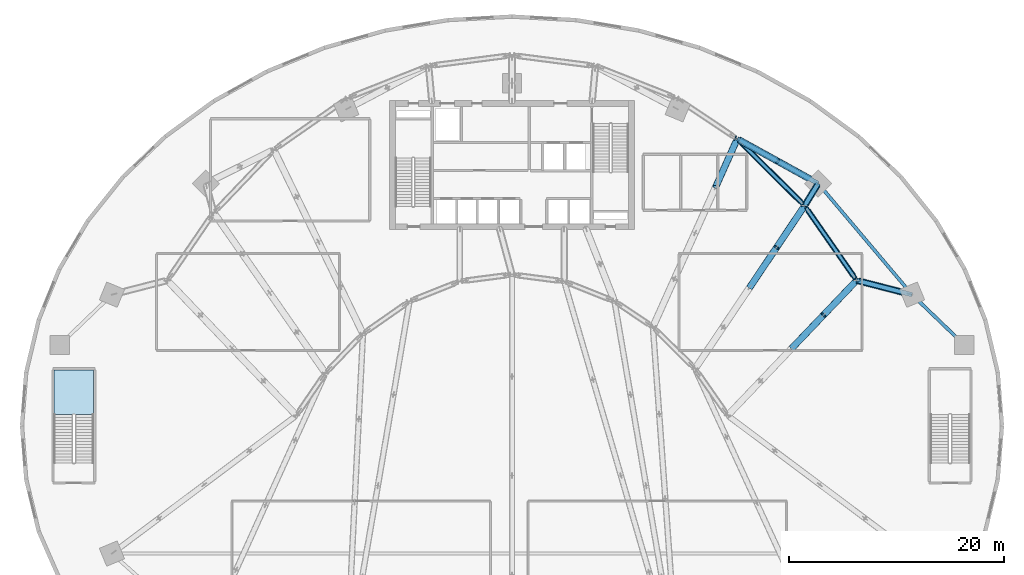
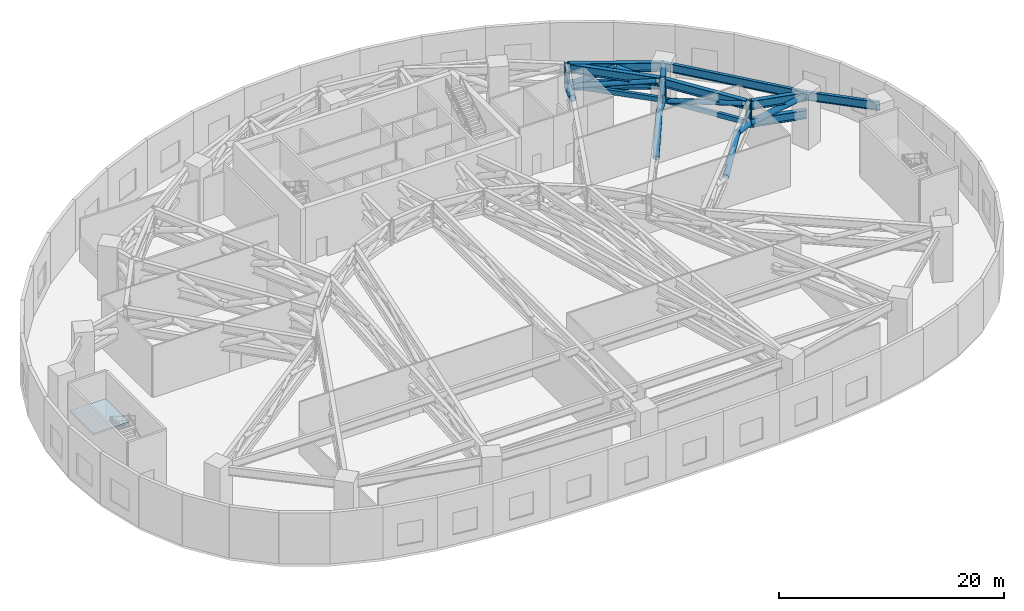
# One storey, part 6 of 19: 16 members, 10 beams, 1 slab, 1 element without a shape of its own.
"""IFC4 building model written with IfcOpenShell, lengths in metres."""

from ifc_helpers import new_model, si_unit, direction, frame, origin, origin_2d, place, context, subcontext, project, spatial, polyline, hollow_rectangle, hollow_circle, i_section, outline, extrude, source, transform, mapped, material, layer, layer_set, material_profile, profile_set, type_object, type_shapes, element, aggregate, save


model = new_model("IFC4")

# Units and contexts
model_context = context("Model", 3, precision=1e-05, world=origin(), true_north=direction((0.0, 1.0)))
body_context = subcontext(model_context, "Body", "Model", "MODEL_VIEW")
ifc_project = project(units=[si_unit("LENGTHUNIT", "METRE"), si_unit("AREAUNIT", "SQUARE_METRE"), si_unit("VOLUMEUNIT", "CUBIC_METRE"), si_unit("PLANEANGLEUNIT", "RADIAN"), si_unit("MASSUNIT", "GRAM", prefix="KILO")], contexts=[model_context])

# Site, building, storey
site_placement = place(None, origin())
site = spatial("IfcSite", under=ifc_project, at=site_placement, CompositionType="ELEMENT")
building_placement = place(site_placement, origin())
building = spatial("IfcBuilding", under=site, at=building_placement, Name="Breltana Convention Tower", CompositionType="ELEMENT")
storey_placement = place(building_placement, frame((0.0, 0.0, 24.0)))
storey = spatial("IfcBuildingStorey", under=building, at=storey_placement, Name="L04", CompositionType="ELEMENT", Elevation=24.0)

# Members
ifc_material_1 = material(Name="Steel ASTM A992 Grade 50", Category="steel")
ifc_material_profile_1 = material_profile(ifc_material_1, i_section(OverallWidth=0.4208984375, OverallDepth=0.465087890625, WebThickness=0.044921875, FlangeThickness=0.072265625, at=origin_2d()), Name="W14X398")
ifc_profile_set_1 = profile_set([ifc_material_profile_1], Name="Steel ASTM A992 Grade 50")
member_type_1 = type_object("IfcMemberType", Name="MB-TR-POST-W14X398", PredefinedType="POST", material=ifc_profile_set_1)
shared_shape_1 = source(origin(), body_context, "Body", "SweptSolid", [
    extrude(i_section(OverallWidth=0.4208984375, OverallDepth=0.465087890625, WebThickness=0.044921875, FlangeThickness=0.072265625, at=origin_2d()), origin(), (0.0, 0.0, 1.0), 2.406494140625),
])
type_shapes(member_type_1, [shared_shape_1])
for number, where, z_axis, x_axis, name in (
    (1, (68.910400390625, 68.63330078125, 3.1435546875), (0.0, 0.0, 1.0), (0.409126902895, 0.912477494148, 0.0), "L04 Transfer Truss Vertical R09-OUT"),
    (2, (75.166748046875, 62.43017578125, 3.1435546875), (0.0, 0.0, 1.0), (0.55774510898, 0.830012285095, 0.0), "L04 Transfer Truss Vertical R10-OUT"),
    (3, (79.9931640625, 55.494384765625, 3.1435546875), (0.0, 0.0, 1.0), (0.690756218984, 0.723087716626, 0.0), "L04 Transfer Truss Vertical R11-OUT"),
):
    element("IfcMember", number, at=place(storey_placement, frame(where, z_axis=z_axis, x_axis=x_axis)), inside=storey, type_object=member_type_1, Name=name, PredefinedType="POST", context=body_context, shape_type="MappedRepresentation", body=[
        mapped(shared_shape_1, transform((0.0, 0.0, 0.0), scale=1.0)),
    ])
ifc_material_2 = material(Name="Steel EN 10210 S355J2H", Category="steel")
ifc_material_profile_2 = material_profile(ifc_material_2, hollow_circle(Radius=0.304931640625, WallThickness=0.02490234375, at=origin_2d()), Name="CHS610X25")
ifc_profile_set_2 = profile_set([ifc_material_profile_2], Name="Steel EN 10210 S355J2H")
member_type_2 = type_object("IfcMemberType", Name="MB-BR-CHS610X25", PredefinedType="BRACE", material=ifc_profile_set_2)
shared_shape_2 = source(origin(), body_context, "Body", "SweptSolid", [
    extrude(hollow_circle(Radius=0.304931640625, WallThickness=0.02490234375, at=origin_2d()), origin(), (0.0, 0.0, 1.0), 4.646240234375),
])
type_shapes(member_type_2, [shared_shape_2])
member_1_placement = place(storey_placement, frame((76.9228515625, 52.27978515625, 5.075927734375), z_axis=(0.628140326004, 0.657618887397, -0.415905193268), x_axis=(-0.723128566496, 0.690713454566, 0.0)))
element("IfcMember", 4, at=member_1_placement, inside=storey, type_object=member_type_2, Name="L04 Transfer Truss Diagonal R11-2.4", PredefinedType="BRACE", context=body_context, shape_type="MappedRepresentation", body=[
    mapped(shared_shape_2, transform((0.0, 0.0, 0.0), scale=1.0)),
])
shared_shape_3 = source(origin(), body_context, "Body", "SweptSolid", [
    extrude(hollow_circle(Radius=0.304931640625, WallThickness=0.02490234375, at=origin_2d()), origin(), (0.0, 0.0, 1.0), 4.64599609375),
])
member_2_placement = place(storey_placement, frame((74.00439453125, 49.224609375, 3.1435546875), z_axis=(0.628162031991, 0.657589063772, 0.415919565267), x_axis=(-0.72310099834, 0.690742315339, 0.0)))
element("IfcMember", 5, at=member_2_placement, inside=storey, type_object=member_type_2, Name="L04 Transfer Truss Diagonal R11-2.3", PredefinedType="BRACE", context=body_context, shape_type="MappedRepresentation", body=[
    mapped(shared_shape_3, transform((0.0, 0.0, 0.0), scale=1.0)),
])

# Beams
ifc_material_profile_3 = material_profile(ifc_material_1, i_section(OverallWidth=0.423095703125, OverallDepth=0.947998046875, WebThickness=0.02392578125, FlangeThickness=0.042724609375, at=origin_2d()), Name="W36X302")
ifc_profile_set_3 = profile_set([ifc_material_profile_3], Name="Steel ASTM A992 Grade 50")
beam_type_1 = type_object("IfcBeamType", Name="BM-TR-W36X302", PredefinedType="USERDEFINED", material=ifc_profile_set_3)
shared_shape_4 = source(origin(), body_context, "Body", "SweptSolid", [
    extrude(i_section(OverallWidth=0.423095703125, OverallDepth=0.947998046875, WebThickness=0.02392578125, FlangeThickness=0.042724609375, at=origin_2d()), origin(), (0.0, 0.0, 1.0), 5.314697265625),
])
beam_1_placement = place(storey_placement, frame((79.9931640625, 55.494384765625, 5.075927734375), z_axis=(0.968413424383, -0.249350034038, 0.0), x_axis=(0.249350034038, 0.968413424383, 0.0)))
element("IfcBeam", 6, at=beam_1_placement, inside=storey, type_object=beam_type_1, Name="L04 Transfer Top Chord R11-3", ObjectType="GIRDER", PredefinedType="USERDEFINED", context=body_context, shape_type="MappedRepresentation", body=[
    mapped(shared_shape_4, transform((0.0, 0.0, 0.0), scale=1.0)),
])
ifc_material_profile_4 = material_profile(ifc_material_1, i_section(OverallWidth=0.41796875, OverallDepth=0.927001953125, WebThickness=0.019287109375, FlangeThickness=0.031982421875, at=origin_2d()), Name="W36X231")
ifc_profile_set_4 = profile_set([ifc_material_profile_4], Name="Steel ASTM A992 Grade 50")
beam_type_2 = type_object("IfcBeamType", Name="BM-TR-W36X231", PredefinedType="USERDEFINED", material=ifc_profile_set_4)
shared_shape_5 = source(origin(), body_context, "Body", "SweptSolid", [
    extrude(i_section(OverallWidth=0.41796875, OverallDepth=0.927001953125, WebThickness=0.019287109375, FlangeThickness=0.031982421875, at=origin_2d()), origin(), (0.0, 0.0, 1.0), 5.314697265625),
])
beam_2_placement = place(storey_placement, frame((79.9931640625, 55.494384765625, 3.1435546875), z_axis=(0.968413424383, -0.249350034038, 0.0), x_axis=(0.249350034038, 0.968413424383, 0.0)))
element("IfcBeam", 7, at=beam_2_placement, inside=storey, type_object=beam_type_2, Name="L04 Transfer Bottom Chord R11-3", ObjectType="GIRDER", PredefinedType="USERDEFINED", context=body_context, shape_type="MappedRepresentation", body=[
    mapped(shared_shape_5, transform((0.0, 0.0, 0.0), scale=1.0)),
])

# Members
shared_shape_6 = source(origin(), body_context, "Body", "SweptSolid", [
    extrude(hollow_circle(Radius=0.304931640625, WallThickness=0.02490234375, at=origin_2d()), origin(), (0.0, 0.0, 1.0), 5.24365234375),
])
member_3_placement = place(storey_placement, frame((80.206298828125, 55.439453125, 3.1435546875), z_axis=(0.900266022574, -0.231771010569, 0.368514975624), x_axis=(0.249317526395, 0.968421793968, 0.0)))
element("IfcMember", 8, at=member_3_placement, inside=storey, type_object=member_type_2, Name="L04 Transfer Truss Diagonal R11-3.1", PredefinedType="BRACE", context=body_context, shape_type="MappedRepresentation", body=[
    mapped(shared_shape_6, transform((0.0, 0.0, 0.0), scale=1.0)),
])
shared_shape_7 = source(origin(), body_context, "Body", "SweptSolid", [
    extrude(hollow_circle(Radius=0.304931640625, WallThickness=0.02490234375, at=origin_2d()), origin(), (0.0, 0.0, 1.0), 5.05712890625),
])
member_4_placement = place(storey_placement, frame((66.908447265625, 64.168212890625, 5.075927734375), z_axis=(0.378095712254, 0.843232610564, -0.382102599909), x_axis=(-0.912470994149, 0.409141399563, 0.0)))
element("IfcMember", 9, at=member_4_placement, inside=storey, type_object=member_type_2, Name="L04 Transfer Truss Diagonal R09-2.4", PredefinedType="BRACE", context=body_context, shape_type="MappedRepresentation", body=[
    mapped(shared_shape_7, transform((0.0, 0.0, 0.0), scale=1.0)),
])

# Beams
shared_shape_8 = source(origin(), body_context, "Body", "SweptSolid", [
    extrude(i_section(OverallWidth=0.423095703125, OverallDepth=0.947998046875, WebThickness=0.02392578125, FlangeThickness=0.042724609375, at=origin_2d()), origin(), (0.0, 0.0, 1.0), 8.583740234375),
])
beam_3_placement = place(storey_placement, frame((68.910400390625, 68.63330078125, 5.075927734375), z_axis=(0.875538271592, -0.48314877106, 0.0), x_axis=(0.48314877106, 0.875538271592, 0.0)))
element("IfcBeam", 10, at=beam_3_placement, inside=storey, type_object=beam_type_1, Name="L04 Transfer Top Chord R09-3", ObjectType="GIRDER", PredefinedType="USERDEFINED", context=body_context, shape_type="MappedRepresentation", body=[
    mapped(shared_shape_8, transform((0.0, 0.0, 0.0), scale=1.0)),
])
shared_shape_9 = source(origin(), body_context, "Body", "SweptSolid", [
    extrude(i_section(OverallWidth=0.41796875, OverallDepth=0.927001953125, WebThickness=0.019287109375, FlangeThickness=0.031982421875, at=origin_2d()), origin(), (0.0, 0.0, 1.0), 8.583740234375),
])
beam_4_placement = place(storey_placement, frame((68.910400390625, 68.63330078125, 3.1435546875), z_axis=(0.875538271592, -0.48314877106, 0.0), x_axis=(0.48314877106, 0.875538271592, 0.0)))
element("IfcBeam", 11, at=beam_4_placement, inside=storey, type_object=beam_type_2, Name="L04 Transfer Bottom Chord R09-3", ObjectType="GIRDER", PredefinedType="USERDEFINED", context=body_context, shape_type="MappedRepresentation", body=[
    mapped(shared_shape_9, transform((0.0, 0.0, 0.0), scale=1.0)),
])

# Members
shared_shape_10 = source(origin(), body_context, "Body", "SweptSolid", [
    extrude(hollow_circle(Radius=0.304931640625, WallThickness=0.02490234375, at=origin_2d()), origin(), (0.0, 0.0, 1.0), 4.507080078125),
])
for number, where, z_axis, x_axis, name in (
    (12, (69.10302734375, 68.527099609375, 3.1435546875), (0.790998391297, -0.436476411496, 0.428730553114), (0.483131231991, 0.875547949958, 0.0), "L04 Transfer Truss Diagonal R09-3.1"),
    (13, (72.668212890625, 66.559814453125, 5.075927734375), (0.79095941134, -0.436538960142, -0.42873878515), (0.483202555904, 0.875508589317, 0.0), "L04 Transfer Truss Diagonal R09-3.2"),
):
    element("IfcMember", number, at=place(storey_placement, frame(where, z_axis=z_axis, x_axis=x_axis)), inside=storey, type_object=member_type_2, Name=name, PredefinedType="BRACE", context=body_context, shape_type="MappedRepresentation", body=[
        mapped(shared_shape_10, transform((0.0, 0.0, 0.0), scale=1.0)),
    ])
shared_shape_11 = source(origin(), body_context, "Body", "SweptSolid", [
    extrude(hollow_circle(Radius=0.304931640625, WallThickness=0.02490234375, at=origin_2d()), origin(), (0.0, 0.0, 1.0), 4.8505859375),
])
for number, where, z_axis, x_axis, name in (
    (14, (70.081298828125, 54.86181640625, 3.1435546875), (0.511531096215, 0.761332220934, 0.39838321623), (-0.830044042981, 0.557697845353, 0.0), "L04 Transfer Truss Diagonal R10-2.3"),
    (15, (72.5625, 58.5546875, 5.075927734375), (0.511568257211, 0.761312618908, -0.398372959054), (-0.830018640357, 0.557735651236, 0.0), "L04 Transfer Truss Diagonal R10-2.4"),
):
    element("IfcMember", number, at=place(storey_placement, frame(where, z_axis=z_axis, x_axis=x_axis)), inside=storey, type_object=member_type_2, Name=name, PredefinedType="BRACE", context=body_context, shape_type="MappedRepresentation", body=[
        mapped(shared_shape_11, transform((0.0, 0.0, 0.0), scale=1.0)),
    ])

# Beams
shared_shape_12 = source(origin(), body_context, "Body", "SweptSolid", [
    extrude(i_section(OverallWidth=0.423095703125, OverallDepth=0.947998046875, WebThickness=0.02392578125, FlangeThickness=0.042724609375, at=origin_2d()), origin(), (0.0, 0.0, 1.0), 2.410888671875),
])
beam_5_placement = place(storey_placement, frame((75.166748046875, 62.43017578125, 5.075927734375), z_axis=(0.522248561052, 0.85279331639, 0.0), x_axis=(-0.85279331639, 0.522248561052, 0.0)))
element("IfcBeam", 16, at=beam_5_placement, inside=storey, type_object=beam_type_1, Name="L04 Transfer Top Chord R10-3", ObjectType="GIRDER", PredefinedType="USERDEFINED", context=body_context, shape_type="MappedRepresentation", body=[
    mapped(shared_shape_12, transform((0.0, 0.0, 0.0), scale=1.0)),
])
shared_shape_13 = source(origin(), body_context, "Body", "SweptSolid", [
    extrude(i_section(OverallWidth=0.41796875, OverallDepth=0.927001953125, WebThickness=0.019287109375, FlangeThickness=0.031982421875, at=origin_2d()), origin(), (0.0, 0.0, 1.0), 2.410888671875),
])
beam_6_placement = place(storey_placement, frame((75.166748046875, 62.43017578125, 3.1435546875), z_axis=(0.522248561052, 0.85279331639, 0.0), x_axis=(-0.85279331639, 0.522248561052, 0.0)))
element("IfcBeam", 17, at=beam_6_placement, inside=storey, type_object=beam_type_2, Name="L04 Transfer Bottom Chord R10-3", ObjectType="GIRDER", PredefinedType="USERDEFINED", context=body_context, shape_type="MappedRepresentation", body=[
    mapped(shared_shape_13, transform((0.0, 0.0, 0.0), scale=1.0)),
])

# Member
shared_shape_14 = source(origin(), body_context, "Body", "SweptSolid", [
    extrude(hollow_circle(Radius=0.304931640625, WallThickness=0.02490234375, at=origin_2d()), origin(), (0.0, 0.0, 1.0), 2.760009765625),
])
member_5_placement = place(storey_placement, frame((75.281494140625, 62.61767578125, 3.1435546875), z_axis=(0.37292020411, 0.60891429912, 0.700109918294), x_axis=(-0.852779243057, 0.52227154107, 0.0)))
element("IfcMember", 18, at=member_5_placement, inside=storey, type_object=member_type_2, Name="L04 Transfer Truss Diagonal R10-3.1", PredefinedType="BRACE", context=body_context, shape_type="MappedRepresentation", body=[
    mapped(shared_shape_14, transform((0.0, 0.0, 0.0), scale=1.0)),
])

# Beam
shared_shape_15 = source(origin(), body_context, "Body", "SweptSolid", [
    extrude(i_section(OverallWidth=0.41796875, OverallDepth=0.927001953125, WebThickness=0.019287109375, FlangeThickness=0.031982421875, at=origin_2d()), origin(), (0.0, 0.0, 1.0), 8.370361328125),
])
beam_7_placement = place(storey_placement, frame((69.066650390625, 68.478515625, 5.075927734375), z_axis=(0.710104620745, -0.704096177803, 0.0), x_axis=(0.704096177803, 0.710104620745, 0.0)))
element("IfcBeam", 19, at=beam_7_placement, inside=storey, type_object=beam_type_2, Name="L04 Transfer Ring Top Chord OUT-09", ObjectType="GIRDER", PredefinedType="USERDEFINED", context=body_context, shape_type="MappedRepresentation", body=[
    mapped(shared_shape_15, transform((0.0, 0.0, 0.0), scale=1.0)),
])

# Members
ifc_material_profile_5 = material_profile(ifc_material_2, hollow_rectangle(XDim=0.300048828125, YDim=0.5, WallThickness=0.01611328125, at=origin_2d()), Name="RHS500X300X16")
ifc_profile_set_5 = profile_set([ifc_material_profile_5], Name="Steel EN 10210 S355J2H")
member_type_3 = type_object("IfcMemberType", Name="MB-CH-RHS500X300X16", PredefinedType="CHORD", material=ifc_profile_set_5)
shared_shape_16 = source(origin(), body_context, "Body", "SweptSolid", [
    extrude(hollow_rectangle(XDim=0.300048828125, YDim=0.5, WallThickness=0.01611328125, at=origin_2d()), origin(), (0.0, 0.0, 1.0), 8.310302734375),
])
member_6_placement = place(storey_placement, frame((69.087890625, 68.457275390625, 3.1435546875), z_axis=(0.71012624591, -0.704074367428, 0.0), x_axis=(0.704074367428, 0.71012624591, 0.0)))
element("IfcMember", 20, at=member_6_placement, inside=storey, type_object=member_type_3, Name="L04 Transfer Ring Bottom Chord OUT-09", PredefinedType="CHORD", context=body_context, shape_type="MappedRepresentation", body=[
    mapped(shared_shape_16, transform((0.0, 0.0, 0.0), scale=1.0)),
])
ifc_material_profile_6 = material_profile(ifc_material_2, hollow_circle(Radius=0.25390625, WallThickness=0.02001953125, at=origin_2d()), Name="CHS508X20")
ifc_profile_set_6 = profile_set([ifc_material_profile_6], Name="Steel EN 10210 S355J2H")
member_type_4 = type_object("IfcMemberType", Name="MB-BR-CHS508X20", PredefinedType="BRACE", material=ifc_profile_set_6)
shared_shape_17 = source(origin(), body_context, "Body", "SweptSolid", [
    extrude(hollow_circle(Radius=0.25390625, WallThickness=0.02001953125, at=origin_2d()), origin(), (0.0, 0.0, 1.0), 7.94873046875),
])
member_7_placement = place(storey_placement, frame((69.301025390625, 68.24609375, 3.1435546875), z_axis=(0.688805086632, -0.682969317148, 0.243105870895), x_axis=(0.704092253317, 0.710108512003, 0.0)))
element("IfcMember", 21, at=member_7_placement, inside=storey, type_object=member_type_4, Name="L04 Transfer Belt Brace OUT-09", PredefinedType="BRACE", context=body_context, shape_type="MappedRepresentation", body=[
    mapped(shared_shape_17, transform((0.0, 0.0, 0.0), scale=1.0)),
])

# Beam
shared_shape_18 = source(origin(), body_context, "Body", "SweptSolid", [
    extrude(i_section(OverallWidth=0.41796875, OverallDepth=0.927001953125, WebThickness=0.019287109375, FlangeThickness=0.031982421875, at=origin_2d()), origin(), (0.0, 0.0, 1.0), 8.009521484375),
])
beam_8_placement = place(storey_placement, frame((75.29248046875, 62.24951171875, 5.075927734375), z_axis=(0.571183261006, -0.820822564472, 0.0), x_axis=(0.820822564472, 0.571183261006, 0.0)))
element("IfcBeam", 22, at=beam_8_placement, inside=storey, type_object=beam_type_2, Name="L04 Transfer Ring Top Chord OUT-10", ObjectType="GIRDER", PredefinedType="USERDEFINED", context=body_context, shape_type="MappedRepresentation", body=[
    mapped(shared_shape_18, transform((0.0, 0.0, 0.0), scale=1.0)),
])

# Members
shared_shape_19 = source(origin(), body_context, "Body", "SweptSolid", [
    extrude(hollow_rectangle(XDim=0.300048828125, YDim=0.5, WallThickness=0.01611328125, at=origin_2d()), origin(), (0.0, 0.0, 1.0), 7.94970703125),
])
member_8_placement = place(storey_placement, frame((75.3095703125, 62.224853515625, 3.1435546875), z_axis=(0.571194954076, -0.820814427528, 0.0), x_axis=(0.820814427528, 0.571194954076, 0.0)))
element("IfcMember", 23, at=member_8_placement, inside=storey, type_object=member_type_3, Name="L04 Transfer Ring Bottom Chord OUT-10", PredefinedType="CHORD", context=body_context, shape_type="MappedRepresentation", body=[
    mapped(shared_shape_19, transform((0.0, 0.0, 0.0), scale=1.0)),
])
shared_shape_20 = source(origin(), body_context, "Body", "SweptSolid", [
    extrude(hollow_circle(Radius=0.25390625, WallThickness=0.02001953125, at=origin_2d()), origin(), (0.0, 0.0, 1.0), 7.599609375),
])
member_9_placement = place(storey_placement, frame((75.48095703125, 61.978759765625, 3.1435546875), z_axis=(0.552397586038, -0.793852675114, 0.254273154608), x_axis=(0.820831397633, 0.571170567047, 0.0)))
element("IfcMember", 24, at=member_9_placement, inside=storey, type_object=member_type_4, Name="L04 Transfer Belt Brace OUT-10", PredefinedType="BRACE", context=body_context, shape_type="MappedRepresentation", body=[
    mapped(shared_shape_20, transform((0.0, 0.0, 0.0), scale=1.0)),
])

# Beams
ifc_material_profile_7 = material_profile(ifc_material_1, i_section(OverallWidth=0.304931640625, OverallDepth=0.9189453125, WebThickness=0.017333984375, FlangeThickness=0.02783203125, at=origin_2d()), Name="W36X170")
ifc_profile_set_7 = profile_set([ifc_material_profile_7], Name="Steel ASTM A992 Grade 50")
beam_type_3 = type_object("IfcBeamType", Name="BM-PD-W36X170", PredefinedType="USERDEFINED", material=ifc_profile_set_7)
shared_shape_21 = source(origin(), body_context, "Body", "SweptSolid", [
    extrude(i_section(OverallWidth=0.304931640625, OverallDepth=0.9189453125, WebThickness=0.017333984375, FlangeThickness=0.02783203125, at=origin_2d()), origin(), (0.0, 0.0, 1.0), 6.739501953125),
])
type_shapes(beam_type_3, [shared_shape_21])
beam_9_placement = place(storey_placement, frame((90.0, 49.5, 5.090576171875), z_axis=(-0.721128840463, 0.692800978242, 0.0), x_axis=(-0.692800978242, -0.721128840463, 0.0)))
element("IfcBeam", 25, at=beam_9_placement, inside=storey, type_object=beam_type_3, Name="L04 Garden Deck Perimeter Girder 01", ObjectType="GIRDER", PredefinedType="USERDEFINED", context=body_context, shape_type="MappedRepresentation", body=[
    mapped(shared_shape_21, transform((0.0, 0.0, 0.0), scale=1.0)),
])
shared_shape_22 = source(origin(), body_context, "Body", "SweptSolid", [
    extrude(i_section(OverallWidth=0.304931640625, OverallDepth=0.9189453125, WebThickness=0.017333984375, FlangeThickness=0.02783203125, at=origin_2d()), origin(), (0.0, 0.0, 1.0), 13.504638671875),
])
beam_10_placement = place(storey_placement, frame((85.139892578125, 54.169189453125, 5.090576171875), z_axis=(-0.645270162831, 0.763954460004, 0.0), x_axis=(-0.763954460004, -0.645270162831, 0.0)))
element("IfcBeam", 26, at=beam_10_placement, inside=storey, type_object=beam_type_3, Name="L04 Garden Deck Perimeter Girder 02", ObjectType="GIRDER", PredefinedType="USERDEFINED", context=body_context, shape_type="MappedRepresentation", body=[
    mapped(shared_shape_22, transform((0.0, 0.0, 0.0), scale=1.0)),
])

# Stair, slab
ifc_material_3 = material(Name="Concrete C40/50", Category="concrete")
stair_type = type_object("IfcStairType", Name="ST-DOG-1760-R176", PredefinedType="HALF_TURN_STAIR", material=ifc_material_3)
stair_placement = place(storey_placement, origin())
stair = element("IfcStair", 27, at=stair_placement, inside=storey, type_object=stair_type, Name="L04 Protected Podium Exit Stair ST-3", PredefinedType="HALF_TURN_STAIR")
ifc_layer = layer(ifc_material_3, 0.199951171875, Name="Concrete C40/50")
ifc_layer_set = layer_set([ifc_layer], Name="Concrete C40/50")
slab_type = type_object("IfcSlabType", Name="SL-STAIR-LANDING-200", PredefinedType="LANDING", material=ifc_layer_set)
slab_placement = place(storey_placement, frame((0.0, 0.0, 2.800048828125)))
slab = element("IfcSlab", 28, at=slab_placement, type_object=slab_type, Name="ST-3 landing 1", PredefinedType="LANDING", context=body_context, shape_type="SweptSolid", body=[
    extrude(outline(polyline([(9.169921875, 43.0400390625), (9.169921875, 47.199951171875), (5.5, 47.199951171875), (5.5, 43.0400390625), (9.169921875, 43.0400390625)])), origin(), (0.0, 0.0, 1.0), 0.199951171875),
])
aggregate(stair, [slab])

save(model, "model.ifc")
